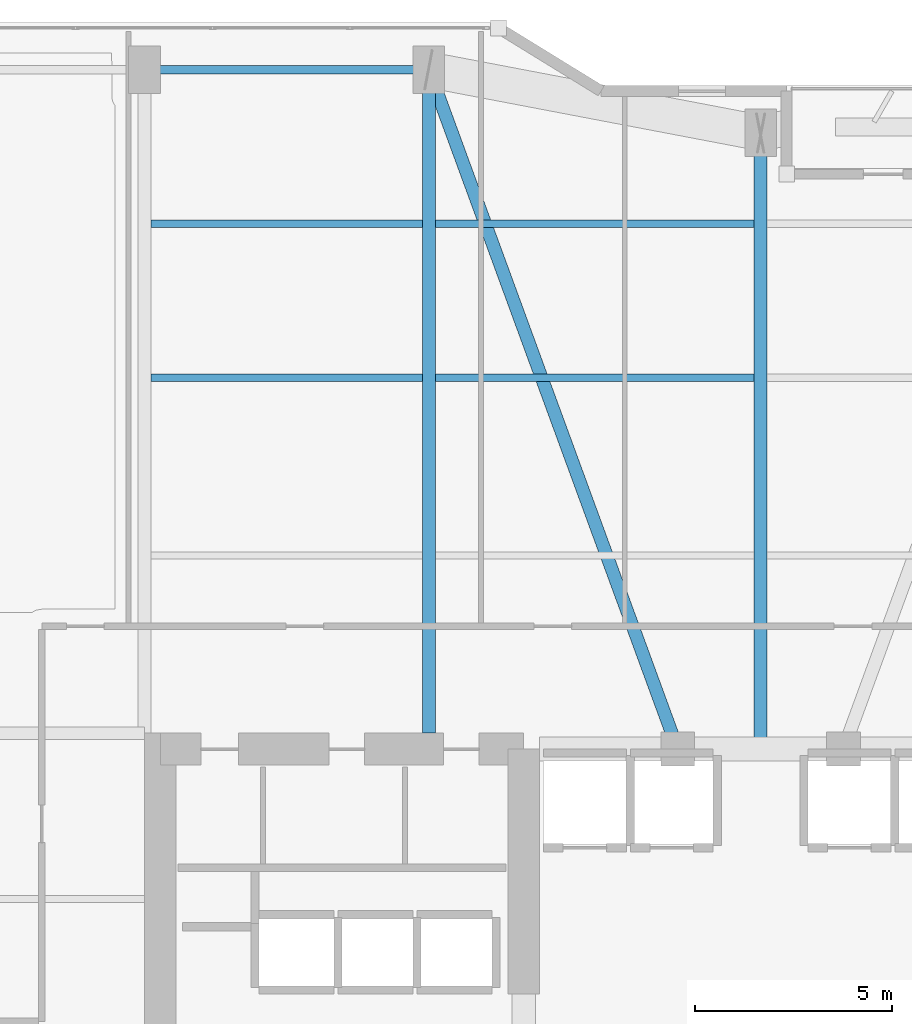
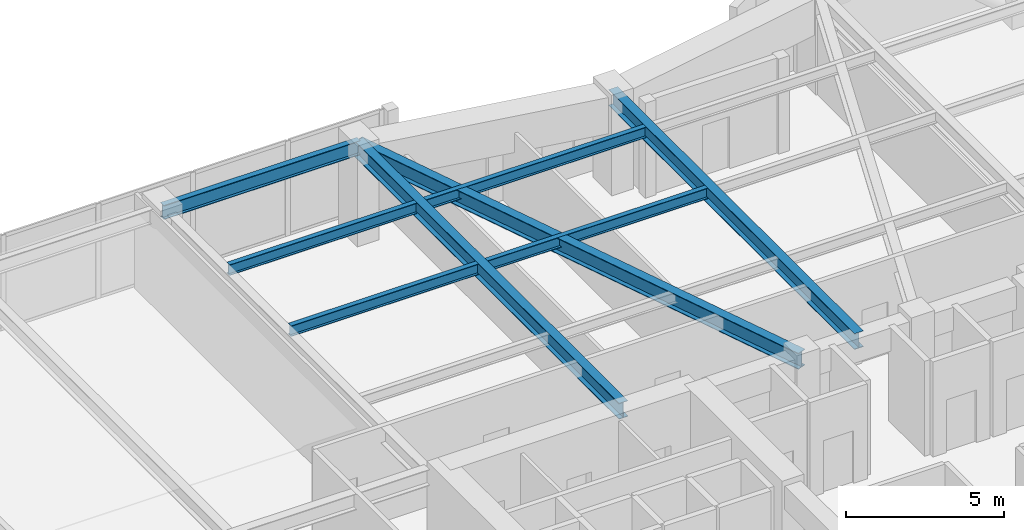
# One storey, part 18 of 30: 8 beams.
"""IFC4 building model written with IfcOpenShell, lengths in metres."""

from ifc_helpers import new_model, si_unit, direction, frame, origin, origin_2d, place, context, subcontext, project, spatial, i_section, extrude, material, material_profile, profile_set, type_object, element, save


model = new_model("IFC4")

# Units and contexts
model_context = context("Model", 3, precision=1e-05, world=origin(), true_north=direction((0.0, 1.0)))
body_context = subcontext(model_context, "Body", "Model", "MODEL_VIEW")
ifc_project = project(units=[si_unit("LENGTHUNIT", "METRE"), si_unit("AREAUNIT", "SQUARE_METRE"), si_unit("VOLUMEUNIT", "CUBIC_METRE"), si_unit("PLANEANGLEUNIT", "RADIAN"), si_unit("MASSUNIT", "GRAM", prefix="KILO")], contexts=[model_context])

# Site, building, storey
site_placement = place(None, origin())
site = spatial("IfcSite", under=ifc_project, at=site_placement, CompositionType="ELEMENT")
building_placement = place(site_placement, origin())
building = spatial("IfcBuilding", under=site, at=building_placement, Name="Kiyonajd Concourse Tower", CompositionType="ELEMENT")
storey_placement = place(building_placement, frame((0.0, 0.0, 162.300048828125)))
storey = spatial("IfcBuildingStorey", under=building, at=storey_placement, Name="L41", CompositionType="ELEMENT", Elevation=162.300048828125)

# Beams
ifc_material = material(Name="Steel ASTM A992 Grade 50", Category="steel")
ifc_material_profile_1 = material_profile(ifc_material, i_section(OverallWidth=0.180908203125, OverallDepth=0.4169921875, WebThickness=0.010986328125, FlangeThickness=0.018310546875, at=origin_2d()), Name="W410X85")
ifc_profile_set_1 = profile_set([ifc_material_profile_1], Name="Steel ASTM A992 Grade 50")
beam_type_1 = type_object("IfcBeamType", Name="BM-JST-410", PredefinedType="JOIST", material=ifc_profile_set_1)
beam_1_placement = place(storey_placement, frame((32.5634765625, 53.39990234375, 3.471435546875), z_axis=(1.0, 0.0, 0.0), x_axis=(0.0, 1.0, 0.0)))
element("IfcBeam", 1, at=beam_1_placement, inside=storey, type_object=beam_type_1, Name="L41 Secondary Floor Joist", PredefinedType="JOIST", context=body_context, shape_type="SweptSolid", body=[
    extrude(i_section(OverallWidth=0.180908203125, OverallDepth=0.4169921875, WebThickness=0.010986328125, FlangeThickness=0.018310546875, at=origin_2d()), origin(), (0.0, 0.0, 1.0), 6.873046875),
])
beam_2_placement = place(storey_placement, frame((39.763427734375, 53.39990234375, 3.471435546875), z_axis=(1.0, 0.0, 0.0), x_axis=(0.0, 1.0, 0.0)))
element("IfcBeam", 2, at=beam_2_placement, inside=storey, type_object=beam_type_1, Name="L41 Secondary Floor Joist", PredefinedType="JOIST", context=body_context, shape_type="SweptSolid", body=[
    extrude(i_section(OverallWidth=0.180908203125, OverallDepth=0.4169921875, WebThickness=0.010986328125, FlangeThickness=0.018310546875, at=origin_2d()), origin(), (0.0, 0.0, 1.0), 8.072998046875),
])
beam_3_placement = place(storey_placement, frame((32.5634765625, 57.300048828125, 3.471435546875), z_axis=(1.0, 0.0, 0.0), x_axis=(0.0, 1.0, 0.0)))
element("IfcBeam", 3, at=beam_3_placement, inside=storey, type_object=beam_type_1, Name="L41 Secondary Floor Joist", PredefinedType="JOIST", context=body_context, shape_type="SweptSolid", body=[
    extrude(i_section(OverallWidth=0.180908203125, OverallDepth=0.4169921875, WebThickness=0.010986328125, FlangeThickness=0.018310546875, at=origin_2d()), origin(), (0.0, 0.0, 1.0), 6.873046875),
])
beam_4_placement = place(storey_placement, frame((39.763427734375, 57.300048828125, 3.471435546875), z_axis=(1.0, 0.0, 0.0), x_axis=(0.0, 1.0, 0.0)))
element("IfcBeam", 4, at=beam_4_placement, inside=storey, type_object=beam_type_1, Name="L41 Secondary Floor Joist", PredefinedType="JOIST", context=body_context, shape_type="SweptSolid", body=[
    extrude(i_section(OverallWidth=0.180908203125, OverallDepth=0.4169921875, WebThickness=0.010986328125, FlangeThickness=0.018310546875, at=origin_2d()), origin(), (0.0, 0.0, 1.0), 8.072998046875),
])
ifc_material_profile_2 = material_profile(ifc_material, i_section(OverallWidth=0.214111328125, OverallDepth=0.549072265625, WebThickness=0.0146484375, FlangeThickness=0.023681640625, at=origin_2d()), Name="W530X138")
ifc_profile_set_2 = profile_set([ifc_material_profile_2], Name="Steel ASTM A992 Grade 50")
beam_type_2 = type_object("IfcBeamType", Name="BM-SPAN-530A", PredefinedType="SPANDREL", material=ifc_profile_set_2)
beam_5_placement = place(storey_placement, frame((39.60009765625, 61.199951171875, 3.405517578125), z_axis=(-1.0, 0.0, 0.0), x_axis=(0.0, -1.0, 0.0)))
element("IfcBeam", 5, at=beam_5_placement, inside=storey, type_object=beam_type_2, Name="L41 Perimeter Bundled Tube Spandrel", PredefinedType="SPANDREL", context=body_context, shape_type="SweptSolid", body=[
    extrude(i_section(OverallWidth=0.214111328125, OverallDepth=0.549072265625, WebThickness=0.0146484375, FlangeThickness=0.023681640625, at=origin_2d()), origin(), (0.0, 0.0, 1.0), 7.2001953125),
])
ifc_material_profile_3 = material_profile(ifc_material, i_section(OverallWidth=0.326904296875, OverallDepth=0.6220703125, WebThickness=0.015380859375, FlangeThickness=0.0244140625, at=origin_2d()), Name="W610X195")
ifc_profile_set_3 = profile_set([ifc_material_profile_3], Name="Steel ASTM A992 Grade 50")
beam_type_3 = type_object("IfcBeamType", Name="BM-TWR-610A", PredefinedType="BEAM", material=ifc_profile_set_3)
beam_6_placement = place(storey_placement, frame((39.60009765625, 61.199951171875, 3.368896484375), z_axis=(0.343925269715, -0.938997022813, 0.0), x_axis=(0.938997022813, 0.343925269715, 0.0)))
element("IfcBeam", 6, at=beam_6_placement, inside=storey, type_object=beam_type_3, Name="L41 Core Tie Girder", PredefinedType="BEAM", context=body_context, shape_type="SweptSolid", body=[
    extrude(i_section(OverallWidth=0.326904296875, OverallDepth=0.6220703125, WebThickness=0.015380859375, FlangeThickness=0.0244140625, at=origin_2d()), origin(), (0.0, 0.0, 1.0), 18.3173828125),
])
beam_7_placement = place(storey_placement, frame((39.60009765625, 44.39990234375, 3.368896484375), z_axis=(0.0, 1.0, 0.0), x_axis=(-1.0, 0.0, 0.0)))
element("IfcBeam", 7, at=beam_7_placement, inside=storey, type_object=beam_type_3, Name="L41 North Lease Girder", PredefinedType="BEAM", context=body_context, shape_type="SweptSolid", body=[
    extrude(i_section(OverallWidth=0.326904296875, OverallDepth=0.6220703125, WebThickness=0.015380859375, FlangeThickness=0.0244140625, at=origin_2d()), origin(), (0.0, 0.0, 1.0), 16.800048828125),
])
beam_8_placement = place(storey_placement, frame((48.0, 44.0, 3.368896484375), z_axis=(0.0, 1.0, 0.0), x_axis=(-1.0, 0.0, 0.0)))
element("IfcBeam", 8, at=beam_8_placement, inside=storey, type_object=beam_type_3, Name="L41 North Ribbon Girder", PredefinedType="BEAM", context=body_context, shape_type="SweptSolid", body=[
    extrude(i_section(OverallWidth=0.326904296875, OverallDepth=0.6220703125, WebThickness=0.015380859375, FlangeThickness=0.0244140625, at=origin_2d()), origin(), (0.0, 0.0, 1.0), 15.60009765625),
])

save(model, "model.ifc")
